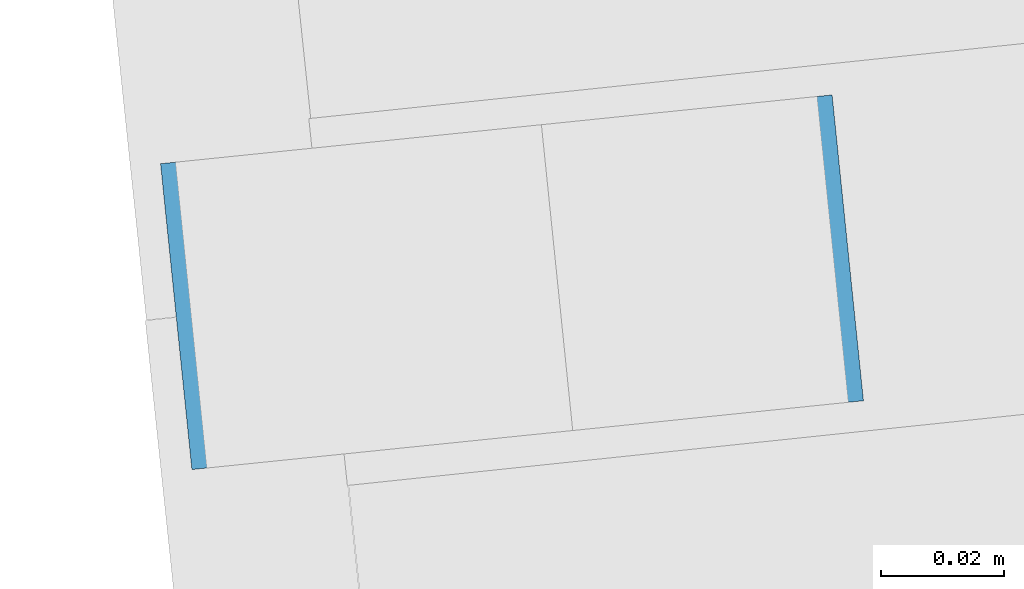
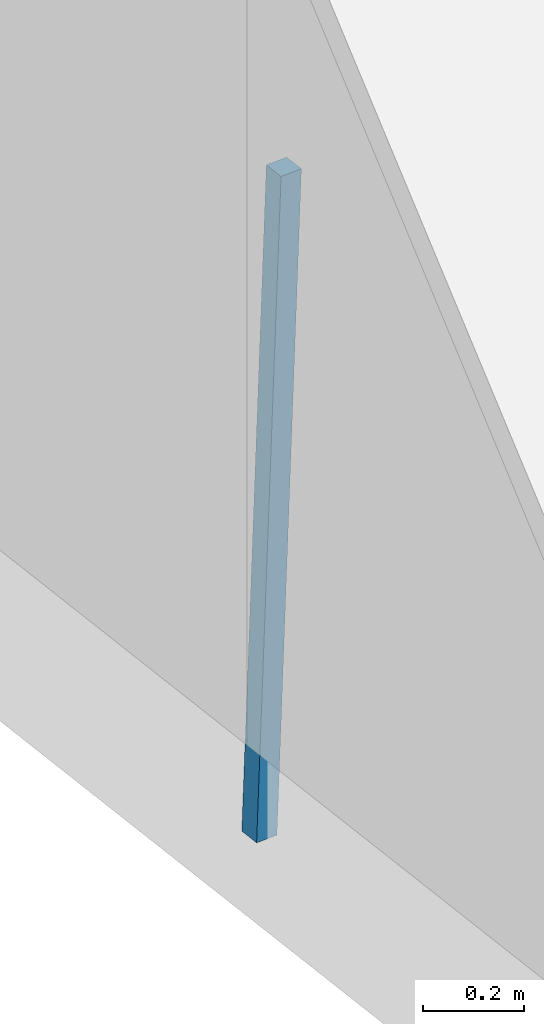
# One storey, part 22 of 41: 1 discrete accessory.
"""IFC4 building model written with IfcOpenShell, lengths in metres."""

import ifcopenshell
import ifcopenshell.guid

model = None  # the IFC model being written
_history = None  # IfcOwnerHistory: only IFC2X3 demands one
_inside = {}  # id of a spatial element -> (the spatial element, [elements in it])
_under = {}  # id of a project, library or spatial element -> (it, [spatial elements below it])
_declared = {}  # id of a project -> (the project, [libraries it declares])
_typed = {}  # id of a type object -> (the type object, [elements of that type])
_made_of = {}  # id of a material, layer set ... -> (it, [elements and type objects made of it])


def new_model(schema):
    """Start an empty IFC model of exactly this schema.

    Asked for "IFC4X3", IfcOpenShell would pick the latest addendum, in which some entities
    have other attributes; the version numbers below select the first issue.
    IFC2X3 requires an IfcOwnerHistory on every rooted entity: one is made here for all.
    """
    global model, _history
    if schema == "IFC4X3":
        model = ifcopenshell.file(schema_version=(4, 3, 0, 0))
    else:
        model = ifcopenshell.file(schema=schema)
    _inside.clear()
    _under.clear()
    _declared.clear()
    _typed.clear()
    _made_of.clear()
    _history = None
    if model.schema == "IFC2X3":
        org = make("IfcOrganization", Name="unknown")
        user = make(
            "IfcPersonAndOrganization",
            ThePerson=make("IfcPerson", FamilyName="unknown"),
            TheOrganization=org,
        )
        app = make(
            "IfcApplication",
            ApplicationDeveloper=org,
            Version="unknown",
            ApplicationFullName="unknown",
            ApplicationIdentifier="unknown",
        )
        _history = make(
            "IfcOwnerHistory",
            OwningUser=user,
            OwningApplication=app,
            ChangeAction="ADDED",
            CreationDate=0,
        )
    return model


def make(cls, **values):
    """One entity of the class cls with the attributes given. An attribute that is None is left unset."""
    return model.create_entity(
        cls, **{name: value for name, value in values.items() if value is not None}
    )


def rooted(cls, **values):
    """An entity with a GlobalId (a new one), such as an element, a storey or a relation."""
    return make(cls, GlobalId=ifcopenshell.guid.new(), OwnerHistory=_history, **values)


def si_unit(unit_type, name, prefix=None):
    """IfcSIUnit, for example si_unit("LENGTHUNIT", "METRE", prefix="MILLI")."""
    return make("IfcSIUnit", UnitType=unit_type, Prefix=prefix, Name=name)


def assignment(units):
    """IfcUnitAssignment: the units of a project."""
    return None if units is None else make("IfcUnitAssignment", Units=units)


def point(xyz):
    """IfcCartesianPoint."""
    return None if xyz is None else make("IfcCartesianPoint", Coordinates=xyz)


def direction(xyz):
    """IfcDirection."""
    return None if xyz is None else make("IfcDirection", DirectionRatios=xyz)


def frame(location, z_axis=None, x_axis=None):
    """IfcAxis2Placement3D, a coordinate frame: its origin and axes. An axis left out is left unset."""
    return make(
        "IfcAxis2Placement3D",
        Location=point(location),
        Axis=direction(z_axis),
        RefDirection=direction(x_axis),
    )


def frame_2d(location, x_axis=None):
    """IfcAxis2Placement2D, a coordinate frame in the plane: its origin and x axis."""
    return make(
        "IfcAxis2Placement2D", Location=point(location), RefDirection=direction(x_axis)
    )


def origin():
    """The frame at (0, 0, 0) with its axes left unset."""
    return frame((0.0, 0.0, 0.0))


def origin_2d():
    """The frame at (0, 0) in the plane with its x axis left unset."""
    return frame_2d((0.0, 0.0))


def place(relative_to, where):
    """IfcLocalPlacement: puts the frame where relative to a parent placement (None: the world)."""
    return make(
        "IfcLocalPlacement", PlacementRelTo=relative_to, RelativePlacement=where
    )


def context(
    kind, dimensions, precision=None, world=None, true_north=None, identifier=None
):
    """IfcGeometricRepresentationContext, for example the 3D "Model" context."""
    return make(
        "IfcGeometricRepresentationContext",
        ContextIdentifier=identifier,
        ContextType=kind,
        CoordinateSpaceDimension=dimensions,
        Precision=precision,
        WorldCoordinateSystem=world,
        TrueNorth=true_north,
    )


def subcontext(parent, identifier, kind, view, scale=None):
    """IfcGeometricRepresentationSubContext, for example "Body" below "Model"."""
    return make(
        "IfcGeometricRepresentationSubContext",
        ContextIdentifier=identifier,
        ContextType=kind,
        ParentContext=parent,
        TargetScale=scale,
        TargetView=view,
    )


def project(units=None, contexts=None):
    """IfcProject with its units and contexts."""
    return rooted(
        "IfcProject",
        Name="project",
        RepresentationContexts=contexts,
        UnitsInContext=assignment(units),
    )


def spatial(cls, under=None, at=None, **own):
    """A site, building, storey or space (cls), placed at a placement, below another one or the project."""
    s = rooted(cls, ObjectPlacement=at, **own)
    if under is not None:
        _under.setdefault(under.id(), (under, []))[1].append(s)
    return s


def profile(cls, at=None, kind="AREA", **sizes):
    """A parametric profile (cls). Its sizes go by their IFC names, for example OverallWidth=200.0."""
    return make(cls, ProfileType=kind, Position=at, **sizes)


def rectangle(**sizes):
    """IfcRectangleProfileDef."""
    return profile("IfcRectangleProfileDef", **sizes)


def extrude(swept, where, along, depth):
    """IfcExtrudedAreaSolid: the profile swept, set in the frame where, extruded along a direction by depth."""
    return make(
        "IfcExtrudedAreaSolid",
        SweptArea=swept,
        Position=where,
        ExtrudedDirection=direction(along),
        Depth=depth,
    )


def shape(context_of_items, identifier, shape_type, items):
    """IfcShapeRepresentation: the items that make up one representation, for example the "Body"."""
    return make(
        "IfcShapeRepresentation",
        ContextOfItems=context_of_items,
        RepresentationIdentifier=identifier,
        RepresentationType=shape_type,
        Items=items,
    )


def material(Name=None, Category=None):
    """IfcMaterial."""
    return make("IfcMaterial", Name=Name, Category=Category)


def material_profile(
    of_material, cross_section, Name=None, Category=None, Priority=None
):
    """IfcMaterialProfile: a cross section and its material."""
    return make(
        "IfcMaterialProfile",
        Name=Name,
        Material=of_material,
        Profile=cross_section,
        Priority=Priority,
        Category=Category,
    )


def profile_set(profiles, Name=None, composite=None):
    """IfcMaterialProfileSet."""
    return make(
        "IfcMaterialProfileSet",
        Name=Name,
        MaterialProfiles=profiles,
        CompositeProfile=composite,
    )


def made_of(thing, what):
    """Note that an element or type object is made of a material, layer set ...; save() writes the relation."""
    if what is not None:
        _made_of.setdefault(what.id(), (what, []))[1].append(thing)
    return thing


def type_object(cls, material=None, **own):
    """A type object (cls), such as IfcWallType, which elements share."""
    return made_of(rooted(cls, **own), material)


def element(
    cls,
    number,
    at=None,
    inside=None,
    cuts=None,
    type_object=None,
    material=None,
    context=None,
    identifier="Body",
    shape_type=None,
    held_by="IfcProductDefinitionShape",
    body=None,
    shapes=None,
    **own,
):
    """One element of the class cls, such as IfcWall. Its Tag is "e" and its number.

    at: its placement. inside: the storey or other place that contains it. cuts: it is an
    opening in that element (IfcRelVoidsElement). A single representation is given by context,
    identifier, shape_type and body (its items); several are given by shapes. held_by: the class
    of the entity that holds the representations. save() writes the other relations.
    """
    e = rooted(cls, Tag="e%d" % number, ObjectPlacement=at, **own)
    if body is not None:
        shapes = [shape(context, identifier, shape_type, body)]
    if shapes is not None:
        e.Representation = make(held_by, Representations=shapes)
    if inside is not None:
        _inside.setdefault(inside.id(), (inside, []))[1].append(e)
    if cuts is not None:
        rooted(
            "IfcRelVoidsElement", RelatingBuildingElement=cuts, RelatedOpeningElement=e
        )
    if type_object is not None:
        _typed.setdefault(type_object.id(), (type_object, []))[1].append(e)
    return made_of(e, material)


def aggregate(whole, parts):
    """IfcRelAggregates: a whole, such as a stair, and the parts it consists of."""
    return rooted("IfcRelAggregates", RelatingObject=whole, RelatedObjects=parts)


def save(model, path):
    """Write the relations noted so far, then the file.

    IfcRelAggregates (storeys below a building ...), IfcRelContainedInSpatialStructure (elements
    in a storey), IfcRelDefinesByType, IfcRelAssociatesMaterial and IfcRelDeclares: one each for
    every whole, place, type object, material and project.
    """
    for whole, parts in _under.values():
        aggregate(whole, parts)
    for where, things in _inside.values():
        rooted(
            "IfcRelContainedInSpatialStructure",
            RelatedElements=things,
            RelatingStructure=where,
        )
    for kind, things in _typed.values():
        rooted("IfcRelDefinesByType", RelatedObjects=things, RelatingType=kind)
    for what, things in _made_of.values():
        rooted("IfcRelAssociatesMaterial", RelatedObjects=things, RelatingMaterial=what)
    for by, libraries in _declared.values():
        rooted("IfcRelDeclares", RelatingContext=by, RelatedDefinitions=libraries)
    model.write(path)


model = new_model("IFC4")

# Units and contexts
model_context = context("Model", 3, precision=1e-05, world=origin(), true_north=direction((0.0, 1.0)))
body_context = subcontext(model_context, "Body", "Model", "MODEL_VIEW")
ifc_project = project(units=[si_unit("LENGTHUNIT", "METRE"), si_unit("AREAUNIT", "SQUARE_METRE"), si_unit("VOLUMEUNIT", "CUBIC_METRE"), si_unit("PLANEANGLEUNIT", "RADIAN"), si_unit("MASSUNIT", "GRAM", prefix="KILO")], contexts=[model_context])

# Site, building, storey
site_placement = place(None, origin())
site = spatial("IfcSite", under=ifc_project, at=site_placement, CompositionType="ELEMENT")
building_placement = place(site_placement, origin())
building = spatial("IfcBuilding", under=site, at=building_placement, Name="Hakoniwa Tower and Hamabe Station Hall", CompositionType="ELEMENT")
storey_placement = place(building_placement, frame((0.0, 0.0, 276.60009765625)))
storey = spatial("IfcBuildingStorey", under=building, at=storey_placement, Name="L77", CompositionType="ELEMENT", Elevation=276.60009765625)

# Discrete accessory
ifc_material = material(Name="Stainless steel SUS304", Category="steel")
ifc_material_profile = material_profile(ifc_material, rectangle(XDim=0.050048828125, YDim=0.050048828125, at=origin_2d()), Name="CW-4 GLAZING BRACKET 50X50")
ifc_profile_set = profile_set([ifc_material_profile], Name="Stainless steel SUS304")
discrete_accessory_type = type_object("IfcDiscreteAccessoryType", Name="CW-4 GLAZING BRACKET 50X50", PredefinedType="BRACKET", material=ifc_profile_set)
discrete_accessory_placement = place(storey_placement, frame((-38.338134765625, 3.628662109375, 1.366455078125), z_axis=(-0.037402588583, -0.003832232437, -0.999292930207), x_axis=(0.101925414299, -0.994792043555, 0.0)))
element("IfcDiscreteAccessory", 1, at=discrete_accessory_placement, inside=storey, type_object=discrete_accessory_type, Name="Glazing bracket", PredefinedType="BRACKET", context=body_context, shape_type="SweptSolid", body=[
    extrude(rectangle(XDim=0.050048828125, YDim=0.050048828125, at=origin_2d()), origin(), (0.0, 0.0, 1.0), 1.5927734375),
])

save(model, "model.ifc")
